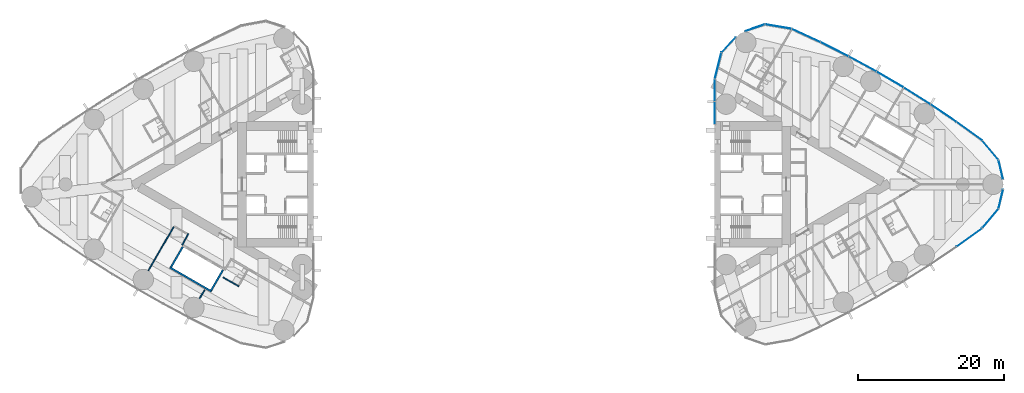
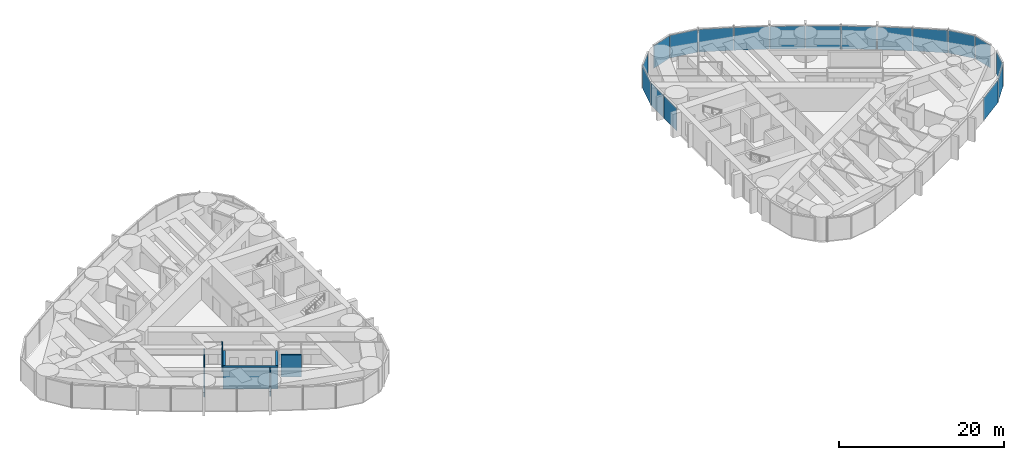
# One storey, part 11 of 19: 18 plates, 7 walls, 3 elements without a shape of their own.
"""IFC4 building model written with IfcOpenShell, lengths in metres."""

from ifc_helpers import new_model, si_unit, direction, frame, frame_2d, origin, origin_2d, place, context, subcontext, project, spatial, rectangle, extrude, material, layer, layer_set, type_object, element, aggregate, save


model = new_model("IFC4")

# Units and contexts
model_context = context("Model", 3, precision=1e-05, world=origin(), true_north=direction((0.0, 1.0)))
body_context = subcontext(model_context, "Body", "Model", "MODEL_VIEW")
ifc_project = project(units=[si_unit("LENGTHUNIT", "METRE"), si_unit("AREAUNIT", "SQUARE_METRE"), si_unit("VOLUMEUNIT", "CUBIC_METRE"), si_unit("PLANEANGLEUNIT", "RADIAN"), si_unit("MASSUNIT", "GRAM", prefix="KILO")], contexts=[model_context])

# Site, building, storey
site_placement = place(None, origin())
site = spatial("IfcSite", under=ifc_project, at=site_placement, CompositionType="ELEMENT")
building_placement = place(site_placement, origin())
building = spatial("IfcBuilding", under=site, at=building_placement, Name="Lancet Gate Hotel", CompositionType="ELEMENT")
storey_placement = place(building_placement, frame((0.0, 0.0, 194.800048828125)))
storey = spatial("IfcBuildingStorey", under=building, at=storey_placement, Name="L52", CompositionType="ELEMENT", Elevation=194.800048828125)

# Curtain wall, plates
ifc_material_1 = material(Name="Aluminium curtain wall", Category="aluminium")
curtain_wall_type = type_object("IfcCurtainWallType", Name="Tower unitised curtain wall", PredefinedType="USERDEFINED", material=ifc_material_1)
curtain_wall_1_placement = place(storey_placement, origin())
curtain_wall_1 = element("IfcCurtainWall", 1, at=curtain_wall_1_placement, inside=storey, type_object=curtain_wall_type, Name="T2 L52 curtain wall 2", ObjectType="UNITISED CURTAIN WALL", PredefinedType="USERDEFINED")
ifc_material_2 = material(Name="Glass double glazed unit 8-16-6", Category="glass")
ifc_layer_1 = layer(ifc_material_2, 0.030029296875)
ifc_layer_set_1 = layer_set([ifc_layer_1], Name="Vision panel double glazed")
plate_type = type_object("IfcPlateType", Name="Vision panel double glazed", PredefinedType="CURTAIN_PANEL", material=ifc_layer_set_1)
plate_1_placement = place(storey_placement, frame((62.417236328125, -7.279541015625, 0.0), z_axis=(0.0, 0.0, 1.0), x_axis=(0.810891442127, 0.585196607206, 0.0)))
plate_1 = element("IfcPlate", 2, at=plate_1_placement, type_object=plate_type, Name="T2 L52 curtain wall 2 panel 9", PredefinedType="CURTAIN_PANEL", context=body_context, shape_type="SweptSolid", body=[
    extrude(rectangle(XDim=4.26904296875, YDim=0.030029296875, at=origin_2d()), origin(), (0.0, 0.0, 1.0), 3.35009765625),
])
plate_2_placement = place(storey_placement, frame((65.283935546875, -4.68701171875, 0.0), z_axis=(0.0, 0.0, 1.0), x_axis=(0.642198636854, 0.766538264422, 0.0)))
plate_2 = element("IfcPlate", 3, at=plate_2_placement, type_object=plate_type, Name="T2 L52 curtain wall 2 panel 10", PredefinedType="CURTAIN_PANEL", context=body_context, shape_type="SweptSolid", body=[
    extrude(rectangle(XDim=3.390380859375, YDim=0.030029296875, at=origin_2d()), origin(), (0.0, 0.0, 1.0), 3.35009765625),
])
plate_3_placement = place(storey_placement, frame((66.710693359375, -2.0234375, 0.0), z_axis=(0.0, 0.0, 1.0), x_axis=(0.230366568544, 0.973103922558, 0.0)))
plate_3 = element("IfcPlate", 4, at=plate_3_placement, type_object=plate_type, Name="T2 L52 curtain wall 2 panel 11", PredefinedType="CURTAIN_PANEL", context=body_context, shape_type="SweptSolid", body=[
    extrude(rectangle(XDim=2.687255859375, YDim=0.030029296875, at=origin_2d()), origin(), (0.0, 0.0, 1.0), 3.35009765625),
])
aggregate(curtain_wall_1, [plate_1, plate_2, plate_3])

curtain_wall_2_placement = place(storey_placement, origin())
curtain_wall_2 = element("IfcCurtainWall", 5, at=curtain_wall_2_placement, inside=storey, type_object=curtain_wall_type, Name="T2 L52 curtain wall 3", ObjectType="UNITISED CURTAIN WALL", PredefinedType="USERDEFINED")
plate_4_placement = place(storey_placement, frame((66.710693359375, 2.0234375, 0.0), z_axis=(0.0, 0.0, 1.0), x_axis=(-0.230366568544, 0.973103922558, 0.0)))
plate_4 = element("IfcPlate", 6, at=plate_4_placement, type_object=plate_type, Name="T2 L52 curtain wall 3 panel 1", PredefinedType="CURTAIN_PANEL", context=body_context, shape_type="SweptSolid", body=[
    extrude(rectangle(XDim=2.687255859375, YDim=0.030029296875, at=origin_2d()), origin(), (0.0, 0.0, 1.0), 3.35009765625),
])
plate_5_placement = place(storey_placement, frame((65.283935546875, 4.68701171875, 0.0), z_axis=(0.0, 0.0, 1.0), x_axis=(-0.642198636854, 0.766538264422, 0.0)))
plate_5 = element("IfcPlate", 7, at=plate_5_placement, type_object=plate_type, Name="T2 L52 curtain wall 3 panel 2", PredefinedType="CURTAIN_PANEL", context=body_context, shape_type="SweptSolid", body=[
    extrude(rectangle(XDim=3.390380859375, YDim=0.030029296875, at=origin_2d()), origin(), (0.0, 0.0, 1.0), 3.35009765625),
])
plate_6_placement = place(storey_placement, frame((62.417236328125, 7.279541015625, 0.0), z_axis=(0.0, 0.0, 1.0), x_axis=(-0.810891442127, 0.585196607206, 0.0)))
plate_6 = element("IfcPlate", 8, at=plate_6_placement, type_object=plate_type, Name="T2 L52 curtain wall 3 panel 3", PredefinedType="CURTAIN_PANEL", context=body_context, shape_type="SweptSolid", body=[
    extrude(rectangle(XDim=4.26904296875, YDim=0.030029296875, at=origin_2d()), origin(), (0.0, 0.0, 1.0), 3.35009765625),
])
plate_7_placement = place(storey_placement, frame((58.863525390625, 9.75927734375, 0.0), z_axis=(0.0, 0.0, 1.0), x_axis=(-0.829038793948, 0.559191092677, 0.0)))
plate_7 = element("IfcPlate", 9, at=plate_7_placement, type_object=plate_type, Name="T2 L52 curtain wall 3 panel 4", PredefinedType="CURTAIN_PANEL", context=body_context, shape_type="SweptSolid", body=[
    extrude(rectangle(XDim=4.26904296875, YDim=0.030029296875, at=origin_2d()), origin(), (0.0, 0.0, 1.0), 3.35009765625),
])
plate_8_placement = place(storey_placement, frame((55.233154296875, 12.125244140625, 0.0), z_axis=(0.0, 0.0, 1.0), x_axis=(-0.846352453444, 0.532623248225, 0.0)))
plate_8 = element("IfcPlate", 10, at=plate_8_placement, type_object=plate_type, Name="T2 L52 curtain wall 3 panel 5", PredefinedType="CURTAIN_PANEL", context=body_context, shape_type="SweptSolid", body=[
    extrude(rectangle(XDim=4.26904296875, YDim=0.030029296875, at=origin_2d()), origin(), (0.0, 0.0, 1.0), 3.35009765625),
])
plate_9_placement = place(storey_placement, frame((51.529296875, 14.374755859375, 0.0), z_axis=(0.0, 0.0, 1.0), x_axis=(-0.862815009772, 0.505519790822, 0.0)))
plate_9 = element("IfcPlate", 11, at=plate_9_placement, type_object=plate_type, Name="T2 L52 curtain wall 3 panel 6", PredefinedType="CURTAIN_PANEL", context=body_context, shape_type="SweptSolid", body=[
    extrude(rectangle(XDim=4.26904296875, YDim=0.030029296875, at=origin_2d()), origin(), (0.0, 0.0, 1.0), 3.35009765625),
])
plate_10_placement = place(storey_placement, frame((47.756103515625, 16.505859375, 0.0), z_axis=(0.0, 0.0, 1.0), x_axis=(-0.878409907967, 0.477907976063, 0.0)))
plate_10 = element("IfcPlate", 12, at=plate_10_placement, type_object=plate_type, Name="T2 L52 curtain wall 3 panel 7", PredefinedType="CURTAIN_PANEL", context=body_context, shape_type="SweptSolid", body=[
    extrude(rectangle(XDim=4.26904296875, YDim=0.030029296875, at=origin_2d()), origin(), (0.0, 0.0, 1.0), 3.35009765625),
])
plate_11_placement = place(storey_placement, frame((43.917236328125, 18.516357421875, 0.0), z_axis=(0.0, 0.0, 1.0), x_axis=(-0.893121465596, 0.449815570752, 0.0)))
plate_11 = element("IfcPlate", 13, at=plate_11_placement, type_object=plate_type, Name="T2 L52 curtain wall 3 panel 8", PredefinedType="CURTAIN_PANEL", context=body_context, shape_type="SweptSolid", body=[
    extrude(rectangle(XDim=4.26904296875, YDim=0.030029296875, at=origin_2d()), origin(), (0.0, 0.0, 1.0), 3.35009765625),
])
plate_12_placement = place(storey_placement, frame((40.0166015625, 20.40380859375, 0.0), z_axis=(0.0, 0.0, 1.0), x_axis=(-0.906934888522, 0.421270824982, 0.0)))
plate_12 = element("IfcPlate", 14, at=plate_12_placement, type_object=plate_type, Name="T2 L52 curtain wall 3 panel 9", PredefinedType="CURTAIN_PANEL", context=body_context, shape_type="SweptSolid", body=[
    extrude(rectangle(XDim=4.26904296875, YDim=0.030029296875, at=origin_2d()), origin(), (0.0, 0.0, 1.0), 3.35009765625),
])
plate_13_placement = place(storey_placement, frame((36.231689453125, 21.629638671875, 0.0), z_axis=(0.0, 0.0, 1.0), x_axis=(-0.985539649572, 0.169444973729, 0.0)))
plate_13 = element("IfcPlate", 15, at=plate_13_placement, type_object=plate_type, Name="T2 L52 curtain wall 3 panel 10", PredefinedType="CURTAIN_PANEL", context=body_context, shape_type="SweptSolid", body=[
    extrude(rectangle(XDim=3.62744140625, YDim=0.030029296875, at=origin_2d()), origin(), (0.0, 0.0, 1.0), 3.35009765625),
])
plate_14_placement = place(storey_placement, frame((33.02197265625, 21.470703125, 0.0), z_axis=(0.0, 0.0, 1.0), x_axis=(-0.946952368511, -0.321373943827, 0.0)))
plate_14 = element("IfcPlate", 16, at=plate_14_placement, type_object=plate_type, Name="T2 L52 curtain wall 3 panel 11", PredefinedType="CURTAIN_PANEL", context=body_context, shape_type="SweptSolid", body=[
    extrude(rectangle(XDim=2.871337890625, YDim=0.030029296875, at=origin_2d()), origin(), (0.0, 0.0, 1.0), 3.35009765625),
])
aggregate(curtain_wall_2, [plate_4, plate_5, plate_6, plate_7, plate_8, plate_9, plate_10, plate_11, plate_12, plate_13, plate_14])

curtain_wall_3_placement = place(storey_placement, origin())
curtain_wall_3 = element("IfcCurtainWall", 17, at=curtain_wall_3_placement, inside=storey, type_object=curtain_wall_type, Name="T2 L52 curtain wall 4", ObjectType="UNITISED CURTAIN WALL", PredefinedType="USERDEFINED")
plate_15_placement = place(storey_placement, frame((29.4052734375, 19.122314453125, 0.0), z_axis=(0.0, 0.0, 1.0), x_axis=(-0.67883123083, -0.734294327943, 0.0)))
plate_15 = element("IfcPlate", 18, at=plate_15_placement, type_object=plate_type, Name="T2 L52 curtain wall 4 panel 1", PredefinedType="CURTAIN_PANEL", context=body_context, shape_type="SweptSolid", body=[
    extrude(rectangle(XDim=2.87060546875, YDim=0.030029296875, at=origin_2d()), origin(), (0.0, 0.0, 1.0), 3.35009765625),
])
plate_16_placement = place(storey_placement, frame((27.95458984375, 16.2548828125, 0.0), z_axis=(0.0, 0.0, 1.0), x_axis=(-0.246166705764, -0.969227503207, 0.0)))
plate_16 = element("IfcPlate", 19, at=plate_16_placement, type_object=plate_type, Name="T2 L52 curtain wall 4 panel 2", PredefinedType="CURTAIN_PANEL", context=body_context, shape_type="SweptSolid", body=[
    extrude(rectangle(XDim=3.62744140625, YDim=0.030029296875, at=origin_2d()), origin(), (0.0, 0.0, 1.0), 3.35009765625),
])
plate_17_placement = place(storey_placement, frame((27.5, 12.899169921875, 0.0), z_axis=(0.0, 0.0, 1.0), x_axis=(0.0, -1.0, 0.0)))
plate_17 = element("IfcPlate", 20, at=plate_17_placement, type_object=plate_type, Name="T2 L52 curtain wall 4 panel 3", PredefinedType="CURTAIN_PANEL", context=body_context, shape_type="SweptSolid", body=[
    extrude(rectangle(XDim=3.06787109375, YDim=0.030029296875, at=origin_2d()), origin(), (0.0, 0.0, 1.0), 3.35009765625),
])
plate_18_placement = place(storey_placement, frame((27.5, 9.766357421875, 0.0), z_axis=(0.0, 0.0, 1.0), x_axis=(0.0, -1.0, 0.0)))
plate_18 = element("IfcPlate", 21, at=plate_18_placement, type_object=plate_type, Name="T2 L52 curtain wall 4 panel 4", PredefinedType="CURTAIN_PANEL", context=body_context, shape_type="SweptSolid", body=[
    extrude(rectangle(XDim=3.06787109375, YDim=0.030029296875, at=origin_2d()), origin(), (0.0, 0.0, 1.0), 3.35009765625),
])
aggregate(curtain_wall_3, [plate_15, plate_16, plate_17, plate_18])

# Walls
ifc_material_3 = material(Name="Moisture resistant board partition")
ifc_layer_2 = layer(ifc_material_3, 0.14990234375)
ifc_layer_set_2 = layer_set([ifc_layer_2], Name="Bathroom wall 150")
wall_type_1 = type_object("IfcWallType", Name="Bathroom wall 150", PredefinedType="PARTITIONING", material=ifc_layer_set_2)
wall_1_placement = place(storey_placement, frame((-37.738037109375, -13.9892578125, 0.0), z_axis=(0.0, 0.0, 1.0), x_axis=(-0.86604923931, 0.499958713387, 0.0)))
element("IfcWall", 22, at=wall_1_placement, inside=storey, type_object=wall_type_1, Name="T1 bathroom wall 150 L52", PredefinedType="PARTITIONING", context=body_context, shape_type="SweptSolid", body=[
    extrude(rectangle(XDim=2.474853515625, YDim=0.14990234375, at=frame_2d((1.2373046875, 0.0))), origin(), (0.0, 0.0, 1.0), 3.25),
])
ifc_material_4 = material(Name="Gypsum board partition")
ifc_layer_3 = layer(ifc_material_4, 0.25)
ifc_layer_set_3 = layer_set([ifc_layer_3], Name="Lift shaft partition 250")
wall_type_2 = type_object("IfcWallType", Name="Lift shaft partition 250", PredefinedType="PARTITIONING", material=ifc_layer_set_3)
wall_2_placement = place(storey_placement, frame((-41.482421875, -14.685791015625, 0.0), z_axis=(0.0, 0.0, 1.0), x_axis=(-0.86603344179, 0.499986077507, 0.0)))
element("IfcWall", 23, at=wall_2_placement, inside=storey, type_object=wall_type_2, Name="T1 lift shaft wall HL L52", PredefinedType="PARTITIONING", context=body_context, shape_type="SweptSolid", body=[
    extrude(rectangle(XDim=6.600341796875, YDim=0.25, at=frame_2d((3.30029296875, 0.0))), origin(), (0.0, 0.0, 1.0), 3.25),
])
for number, where, z_axis, x_axis, name in (
    (24, (-39.92822265625, -11.742919921875, 0.0), (0.0, 0.0, 1.0), (-0.499929347863, -0.866066190972, 0.0), "T1 lift shaft wall HL L52"),
    (25, (-45.427734375, -8.568115234375, 0.0), (0.0, 0.0, 1.0), (-0.499929347863, -0.866066190972, 0.0), "T1 lift shaft wall HL L52"),
):
    element("IfcWall", number, at=place(storey_placement, frame(where, z_axis=z_axis, x_axis=x_axis)), inside=storey, type_object=wall_type_2, Name=name, PredefinedType="PARTITIONING", context=body_context, shape_type="SweptSolid", body=[
        extrude(rectangle(XDim=3.20068359375, YDim=0.25, at=frame_2d((1.600341796875, 0.0))), origin(), (0.0, 0.0, 1.0), 3.25),
    ])
ifc_material_5 = material(Name="Gypsum board partition")
ifc_layer_4 = layer(ifc_material_5, 0.14990234375)
ifc_layer_set_4 = layer_set([ifc_layer_4], Name="Party wall 150")
wall_type_3 = type_object("IfcWallType", Name="Party wall 150", PredefinedType="PARTITIONING", material=ifc_layer_set_4)
wall_3_placement = place(storey_placement, frame((-46.6787109375, -5.8251953125, 0.0), z_axis=(0.0, 0.0, 1.0), x_axis=(-0.500006839597, -0.866021454905, 0.0)))
element("IfcWall", 26, at=wall_3_placement, inside=storey, type_object=wall_type_3, Name="T1 party wall 150 L52", PredefinedType="PARTITIONING", context=body_context, shape_type="SweptSolid", body=[
    extrude(rectangle(XDim=6.9111328125, YDim=0.14990234375, at=frame_2d((3.45556640625, 0.0))), origin(), (0.0, 0.0, 1.0), 2.300048828125),
])
wall_4_placement = place(storey_placement, frame((-42.429443359375, -14.45654296875, 0.0), z_axis=(0.0, 0.0, 1.0), x_axis=(-0.5000578829, -0.865991982497, 0.0)))
element("IfcWall", 27, at=wall_4_placement, inside=storey, type_object=wall_type_3, Name="T1 party wall 150 L52", PredefinedType="PARTITIONING", context=body_context, shape_type="SweptSolid", body=[
    extrude(rectangle(XDim=1.406982421875, YDim=0.14990234375, at=frame_2d((0.70361328125, 0.0))), origin(), (0.0, 0.0, 1.0), 3.25),
])
ifc_material_6 = material(Name="Gypsum board partition")
ifc_layer_5 = layer(ifc_material_6, 0.14990234375)
ifc_layer_set_5 = layer_set([ifc_layer_5], Name="Service room wall 150")
wall_type_4 = type_object("IfcWallType", Name="Service room wall 150", PredefinedType="PARTITIONING", material=ifc_layer_set_5)
wall_5_placement = place(storey_placement, frame((-44.652099609375, -6.764404296875, 0.0), z_axis=(0.0, 0.0, 1.0), x_axis=(-0.485424724123, -0.874278466629, 0.0)))
element("IfcWall", 28, at=wall_5_placement, inside=storey, type_object=wall_type_4, Name="T1 service room wall 150 L52", PredefinedType="PARTITIONING", context=body_context, shape_type="SweptSolid", body=[
    extrude(rectangle(XDim=1.80517578125, YDim=0.14990234375, at=frame_2d((0.902587890625, 0.0))), origin(), (0.0, 0.0, 1.0), 3.25),
])

save(model, "model.ifc")
